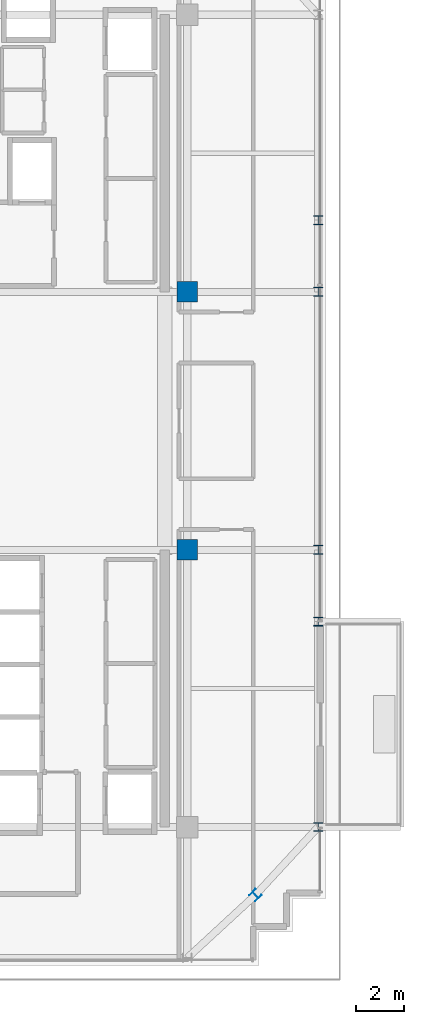
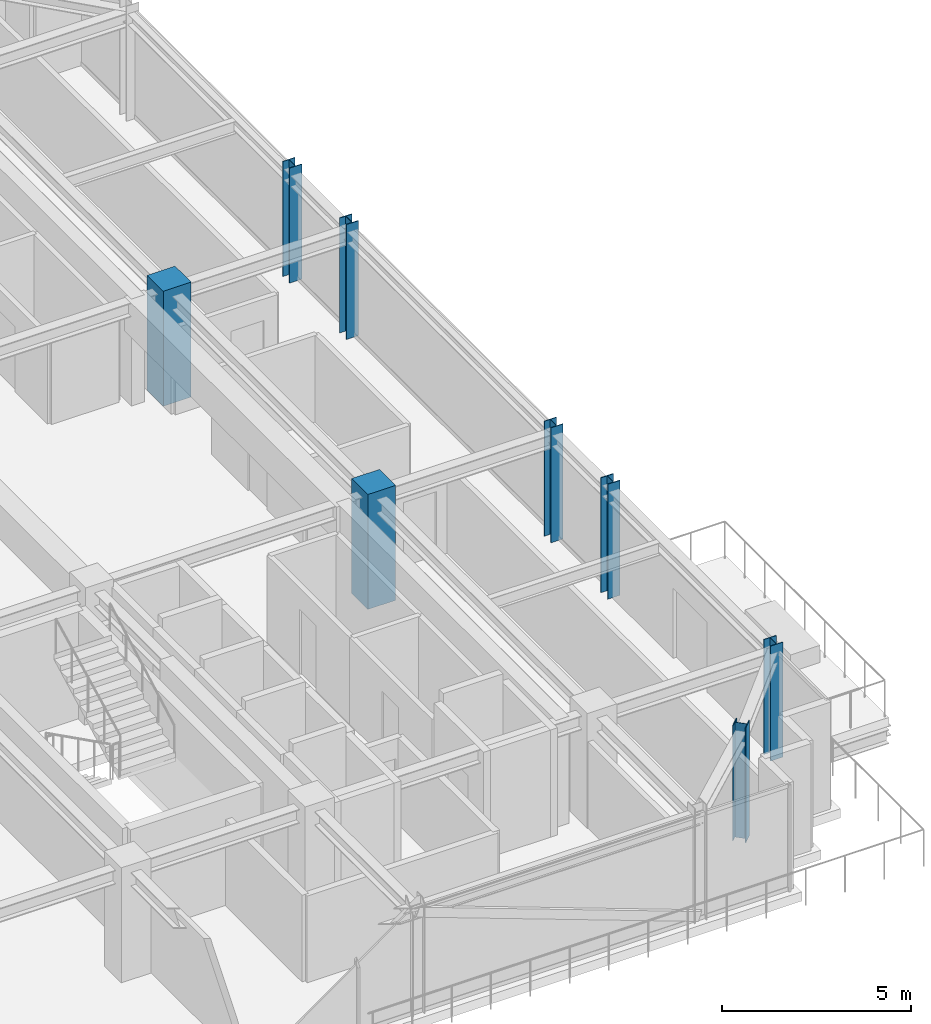
# One storey, part 2 of 32: 8 columns.
"""IFC4 building model written with IfcOpenShell, lengths in metres."""

from ifc_helpers import new_model, si_unit, direction, frame, origin, origin_2d, place, context, subcontext, project, spatial, rectangle, i_section, extrude, source, transform, mapped, material, material_profile, profile_set, type_object, element, save


model = new_model("IFC4")

# Units and contexts
model_context = context("Model", 3, precision=1e-05, world=origin(), true_north=direction((0.0, 1.0)))
body_context = subcontext(model_context, "Body", "Model", "MODEL_VIEW")
ifc_project = project(units=[si_unit("LENGTHUNIT", "METRE"), si_unit("AREAUNIT", "SQUARE_METRE"), si_unit("VOLUMEUNIT", "CUBIC_METRE"), si_unit("PLANEANGLEUNIT", "RADIAN"), si_unit("MASSUNIT", "GRAM", prefix="KILO")], contexts=[model_context])

# Site, building, storey
site_placement = place(None, origin())
site = spatial("IfcSite", under=ifc_project, at=site_placement, CompositionType="ELEMENT")
building_placement = place(site_placement, origin())
building = spatial("IfcBuilding", under=site, at=building_placement, Name="Nahalor Promenade Grand Hotel", CompositionType="ELEMENT")
storey_placement = place(building_placement, frame((0.0, 0.0, 266.300048828125)))
storey = spatial("IfcBuildingStorey", under=building, at=storey_placement, Name="L68", CompositionType="ELEMENT", Elevation=266.300048828125)

# Columns
ifc_material_1 = material(Name="Concrete B-70 (C60/75)", Category="concrete")
ifc_material_profile_1 = material_profile(ifc_material_1, rectangle(XDim=0.85, YDim=0.85, at=origin_2d()), Name="RC 850x850")
ifc_profile_set_1 = profile_set([ifc_material_profile_1], Name="Concrete B-70 (C60/75)")
column_type_1 = type_object("IfcColumnType", Name="Col-Pilaster-850", PredefinedType="PILASTER", material=ifc_profile_set_1)
shared_shape_1 = source(origin(), body_context, "Body", "SweptSolid", [
    extrude(rectangle(XDim=0.85, YDim=0.85, at=origin_2d()), origin(), (0.0, 0.0, 1.0), 3.704833984375),
])
for number, where, z_axis, x_axis, name in (
    (1, (17.0, -5.39990234375, 0.0), (0.0, 0.0, 1.0), (1.0, 0.0, 0.0), "COL-L68-I51"),
    (2, (17.0, 5.39990234375, 0.0), (0.0, 0.0, 1.0), (1.0, 0.0, 0.0), "COL-L68-I52"),
):
    element("IfcColumn", number, at=place(storey_placement, frame(where, z_axis=z_axis, x_axis=x_axis)), inside=storey, type_object=column_type_1, Name=name, PredefinedType="PILASTER", context=body_context, shape_type="MappedRepresentation", body=[
        mapped(shared_shape_1, transform((0.0, 0.0, 0.0), scale=1.0)),
    ])
ifc_material_2 = material(Name="Steel S355JR", Category="steel")
ifc_material_profile_2 = material_profile(ifc_material_2, i_section(OverallWidth=0.374, OverallDepth=0.374, WebThickness=0.0144, FlangeThickness=0.0229, at=origin_2d()), Name="HD 360x262")
ifc_profile_set_2 = profile_set([ifc_material_profile_2], Name="Steel S355JR")
column_type_2 = type_object("IfcColumnType", Name="Col-Steel-HD262", PredefinedType="COLUMN", material=ifc_profile_set_2)
shared_shape_2 = source(origin(), body_context, "Body", "SweptSolid", [
    extrude(i_section(OverallWidth=0.374, OverallDepth=0.374, WebThickness=0.0144, FlangeThickness=0.0229, at=origin_2d()), origin(), (0.0, 0.0, 1.0), 3.704833984375),
])
for number, where, z_axis, x_axis, name in (
    (3, (22.47998046875, -17.0, 0.0), (0.0, 0.0, 1.0), (1.0, 0.0, 0.0), "COL-L68-PW-E0"),
    (4, (22.47998046875, -8.39990234375, 0.0), (0.0, 0.0, 1.0), (1.0, 0.0, 0.0), "COL-L68-PW-E1"),
    (5, (22.47998046875, -5.39990234375, 0.0), (0.0, 0.0, 1.0), (1.0, 0.0, 0.0), "COL-L68-PW-E2"),
    (6, (22.47998046875, 5.39990234375, 0.0), (0.0, 0.0, 1.0), (1.0, 0.0, 0.0), "COL-L68-PW-E3"),
    (7, (22.47998046875, 8.39990234375, 0.0), (0.0, 0.0, 1.0), (1.0, 0.0, 0.0), "COL-L68-PW-E4"),
    (8, (19.85009765625, -19.85009765625, 0.0), (0.0, 0.0, 1.0), (0.707106781187, 0.707106781187, 0.0), "COL-L68-CRN-SE"),
):
    element("IfcColumn", number, at=place(storey_placement, frame(where, z_axis=z_axis, x_axis=x_axis)), inside=storey, type_object=column_type_2, Name=name, PredefinedType="COLUMN", context=body_context, shape_type="MappedRepresentation", body=[
        mapped(shared_shape_2, transform((0.0, 0.0, 0.0), scale=1.0)),
    ])

save(model, "model.ifc")
